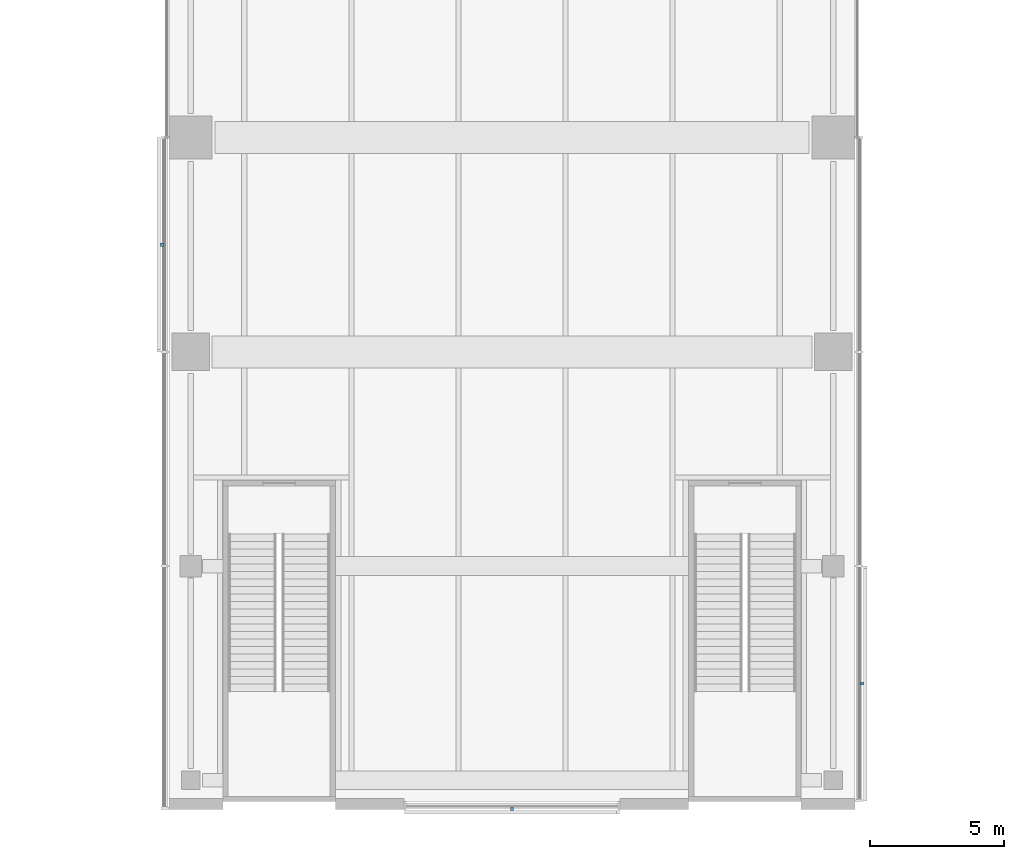
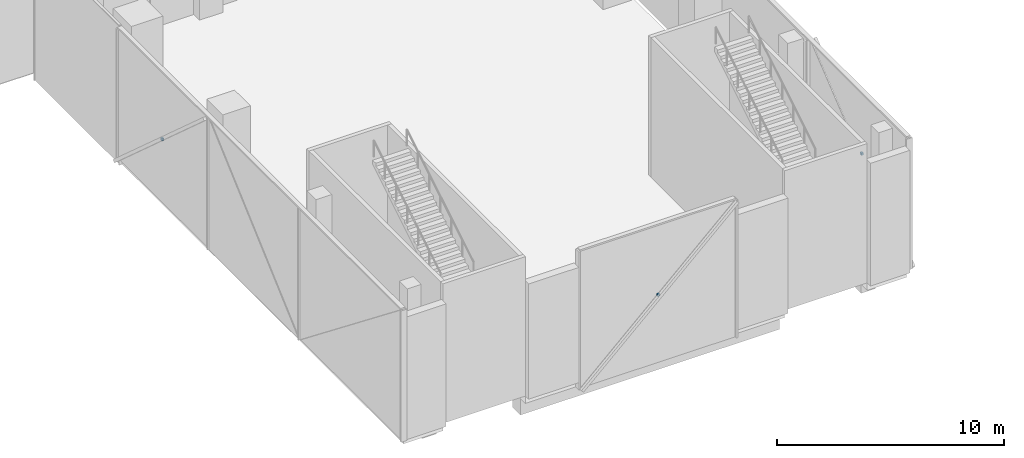
# One storey, part 20 of 25: 3 discrete accessories.
"""IFC4 building model written with IfcOpenShell, lengths in metres."""

from ifc_helpers import new_model, si_unit, direction, frame, origin, origin_2d, place, context, subcontext, project, spatial, rectangle, extrude, material, type_object, element, save


model = new_model("IFC4")

# Units and contexts
model_context = context("Model", 3, precision=1e-05, world=origin(), true_north=direction((0.0, 1.0)))
body_context = subcontext(model_context, "Body", "Model", "MODEL_VIEW")
ifc_project = project(units=[si_unit("LENGTHUNIT", "METRE"), si_unit("AREAUNIT", "SQUARE_METRE"), si_unit("VOLUMEUNIT", "CUBIC_METRE"), si_unit("PLANEANGLEUNIT", "RADIAN"), si_unit("MASSUNIT", "GRAM", prefix="KILO")], contexts=[model_context])

# Site, building, storey
site_placement = place(None, origin())
site = spatial("IfcSite", under=ifc_project, at=site_placement, CompositionType="ELEMENT")
building_placement = place(site_placement, origin())
building = spatial("IfcBuilding", under=site, at=building_placement, Name="Crosswind Convention Tower", CompositionType="ELEMENT")
storey_placement = place(building_placement, frame((0.0, 0.0, 10.0)))
storey = spatial("IfcBuildingStorey", under=building, at=storey_placement, Name="L01", CompositionType="ELEMENT", Elevation=10.0)

# Discrete accessories
ifc_material = material(Name="Stainless steel", Category="steel")
discrete_accessory_type = type_object("IfcDiscreteAccessoryType", Name="BAGUETTE BRACKET BK1", PredefinedType="BRACKET", material=ifc_material)
for number, where, z_axis, x_axis, name in (
    (1, (111.926025390625, 76.0, 3.427490234375), (0.0, 0.0, 1.0), (0.0, -1.0, 0.0), "BK1 baguette bracket"),
    (2, (125.0, 54.926025390625, 3.25), (0.0, 0.0, 1.0), (1.0, 0.0, 0.0), "BK1 baguette bracket"),
    (3, (138.073974609375, 59.6201171875, 3.427490234375), (0.0, 0.0, 1.0), (0.0, 1.0, 0.0), "BK1 baguette bracket"),
):
    element("IfcDiscreteAccessory", number, at=place(storey_placement, frame(where, z_axis=z_axis, x_axis=x_axis)), inside=storey, type_object=discrete_accessory_type, Name=name, PredefinedType="BRACKET", context=body_context, shape_type="SweptSolid", body=[
        extrude(rectangle(XDim=0.1201171875, YDim=0.10009765625, at=origin_2d()), origin(), (0.0, 0.0, 1.0), 0.1201171875),
    ])

save(model, "model.ifc")
